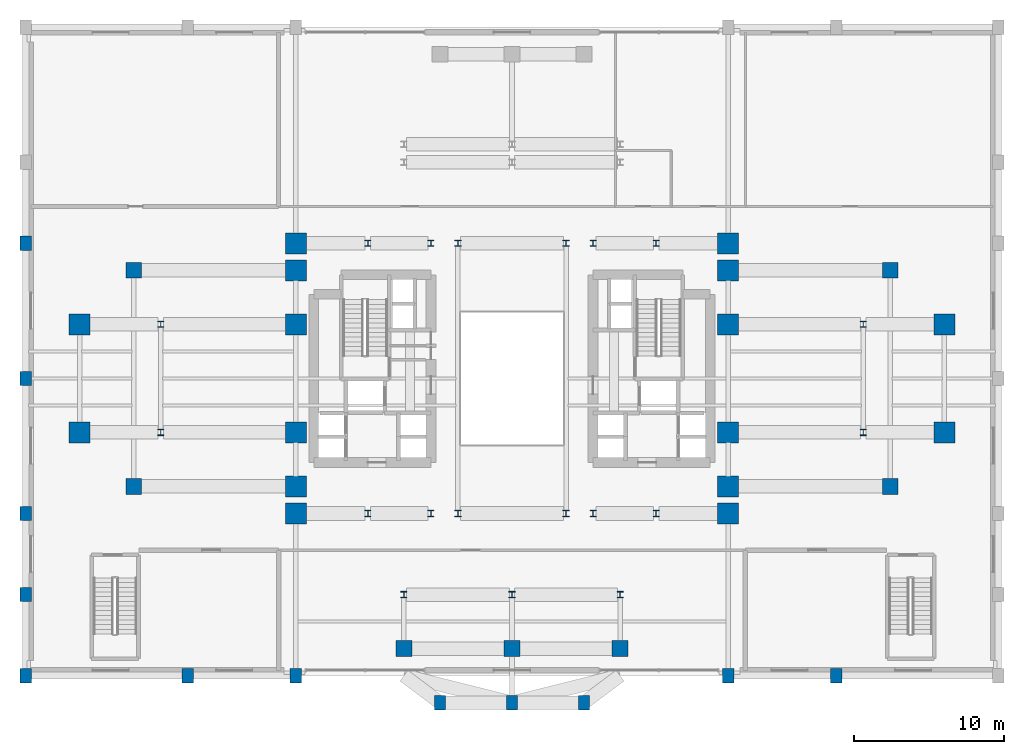
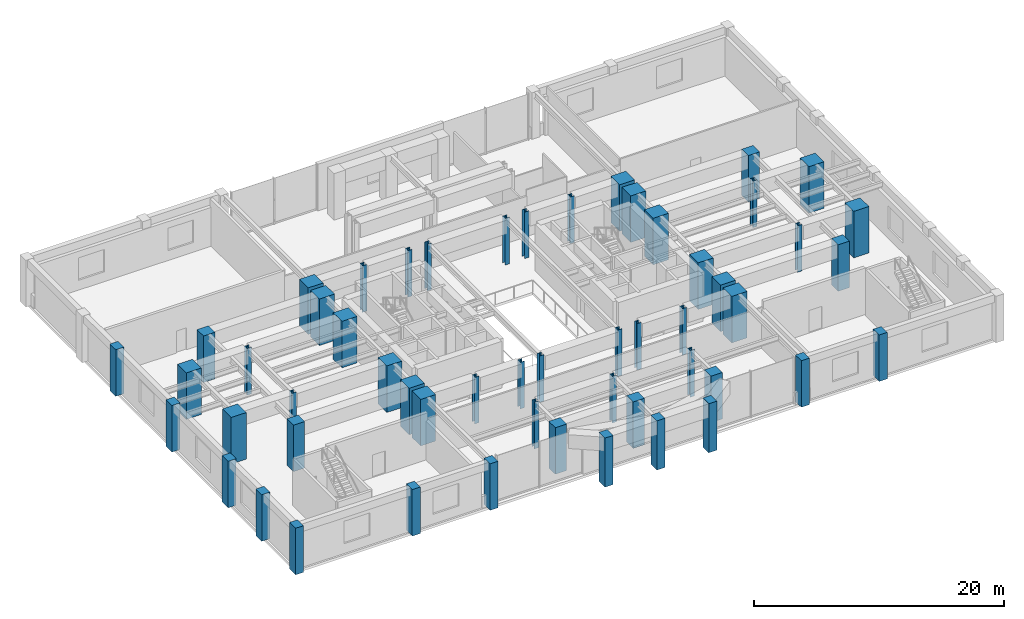
# One storey, part 1 of 14: 54 columns.
"""IFC4 building model written with IfcOpenShell, lengths in metres."""

from ifc_helpers import new_model, si_unit, direction, frame, origin, origin_2d, place, context, subcontext, project, spatial, rectangle, i_section, extrude, source, transform, mapped, material, material_profile, profile_set, type_object, element, save


model = new_model("IFC4")

# Units and contexts
model_context = context("Model", 3, precision=1e-05, world=origin(), true_north=direction((0.0, 1.0)))
body_context = subcontext(model_context, "Body", "Model", "MODEL_VIEW")
ifc_project = project(units=[si_unit("LENGTHUNIT", "METRE"), si_unit("AREAUNIT", "SQUARE_METRE"), si_unit("VOLUMEUNIT", "CUBIC_METRE"), si_unit("PLANEANGLEUNIT", "RADIAN"), si_unit("MASSUNIT", "GRAM", prefix="KILO")], contexts=[model_context])

# Site, building, storey
site_placement = place(None, origin())
site = spatial("IfcSite", under=ifc_project, at=site_placement, CompositionType="ELEMENT")
building_placement = place(site_placement, origin())
building = spatial("IfcBuilding", under=site, at=building_placement, Name="Keilestroom Media Tower", CompositionType="ELEMENT")
storey_placement = place(building_placement, frame((0.0, 0.0, 15.60009765625)))
storey = spatial("IfcBuildingStorey", under=building, at=storey_placement, Name="L03", CompositionType="ELEMENT", Elevation=15.60009765625)

# Columns
ifc_material_1 = material(Name="Precast concrete C40/50", Category="concrete")
ifc_material_profile_1 = material_profile(ifc_material_1, rectangle(XDim=0.75, YDim=0.949951171875, at=origin_2d()), Name="PC 950x750")
ifc_profile_set_1 = profile_set([ifc_material_profile_1], Name="Precast concrete C40/50")
column_type_1 = type_object("IfcColumnType", Name="Structural-Column-PC-950x750", PredefinedType="COLUMN", material=ifc_profile_set_1)
shared_shape_1 = source(origin(), body_context, "Body", "SweptSolid", [
    extrude(rectangle(XDim=0.75, YDim=0.949951171875, at=origin_2d()), origin(), (0.0, 0.0, 1.0), 4.5498046875),
])
for number, where, z_axis, x_axis, name in (
    (1, (-32.39990234375, -19.800048828125, 0.0), (0.0, 0.0, 1.0), (1.0, 0.0, 0.0), "L03 Column PC-1 (-32.4,-19.8)"),
    (2, (-32.39990234375, -14.39990234375, 0.0), (0.0, 0.0, 1.0), (1.0, 0.0, 0.0), "L03 Column PC-1 (-32.4,-14.4)"),
    (3, (-32.39990234375, -9.0, 0.0), (0.0, 0.0, 1.0), (1.0, 0.0, 0.0), "L03 Column PC-1 (-32.4,-9.0)"),
    (4, (-32.39990234375, 0.0, 0.0), (0.0, 0.0, 1.0), (1.0, 0.0, 0.0), "L03 Column PC-1 (-32.4,+0.0)"),
    (5, (-32.39990234375, 9.0, 0.0), (0.0, 0.0, 1.0), (1.0, 0.0, 0.0), "L03 Column PC-1 (-32.4,+9.0)"),
    (6, (-21.60009765625, -19.800048828125, 0.0), (0.0, 0.0, 1.0), (1.0, 0.0, 0.0), "L03 Column PC-1 (-21.6,-19.8)"),
    (7, (-14.39990234375, -19.800048828125, 0.0), (0.0, 0.0, 1.0), (1.0, 0.0, 0.0), "L03 Column PC-1 (-14.4,-19.8)"),
    (8, (14.39990234375, -19.800048828125, 0.0), (0.0, 0.0, 1.0), (1.0, 0.0, 0.0), "L03 Column PC-1 (+14.4,-19.8)"),
    (9, (21.60009765625, -19.800048828125, 0.0), (0.0, 0.0, 1.0), (1.0, 0.0, 0.0), "L03 Column PC-1 (+21.6,-19.8)"),
):
    element("IfcColumn", number, at=place(storey_placement, frame(where, z_axis=z_axis, x_axis=x_axis)), inside=storey, type_object=column_type_1, Name=name, PredefinedType="COLUMN", context=body_context, shape_type="MappedRepresentation", body=[
        mapped(shared_shape_1, transform((0.0, 0.0, 0.0), x_axis=(1.0, 0.0, 0.0), y_axis=(0.0, 1.0, 0.0), z_axis=(0.0, 0.0, 1.0), scale=1.0)),
    ])
ifc_material_2 = material(Name="Concrete C70/85", Category="concrete")
ifc_material_profile_2 = material_profile(ifc_material_2, rectangle(XDim=1.39990234375, YDim=1.39990234375, at=origin_2d()), Name="RC 1400x1400")
ifc_profile_set_2 = profile_set([ifc_material_profile_2], Name="Concrete C70/85")
column_type_2 = type_object("IfcColumnType", Name="Structural-Column-RC-1400x1400", PredefinedType="COLUMN", material=ifc_profile_set_2)
shared_shape_2 = source(origin(), body_context, "Body", "SweptSolid", [
    extrude(rectangle(XDim=1.39990234375, YDim=1.39990234375, at=origin_2d()), origin(), (0.0, 0.0, 1.0), 4.5498046875),
])
for number, where, z_axis, x_axis, name in (
    (10, (-28.800048828125, -3.60009765625, 0.0), (0.0, 0.0, 1.0), (1.0, 0.0, 0.0), "L03 Column MC-1 (-28.8,-3.6)"),
    (11, (-28.800048828125, 3.60009765625, 0.0), (0.0, 0.0, 1.0), (1.0, 0.0, 0.0), "L03 Column MC-1 (-28.8,+3.6)"),
    (12, (-14.39990234375, -9.0, 0.0), (0.0, 0.0, 1.0), (1.0, 0.0, 0.0), "L03 Column MC-1 (-14.4,-9.0)"),
    (13, (-14.39990234375, -7.199951171875, 0.0), (0.0, 0.0, 1.0), (1.0, 0.0, 0.0), "L03 Column MC-1 (-14.4,-7.2)"),
    (14, (-14.39990234375, -3.60009765625, 0.0), (0.0, 0.0, 1.0), (1.0, 0.0, 0.0), "L03 Column MC-1 (-14.4,-3.6)"),
    (15, (-14.39990234375, 3.60009765625, 0.0), (0.0, 0.0, 1.0), (1.0, 0.0, 0.0), "L03 Column MC-1 (-14.4,+3.6)"),
    (16, (-14.39990234375, 7.199951171875, 0.0), (0.0, 0.0, 1.0), (1.0, 0.0, 0.0), "L03 Column MC-1 (-14.4,+7.2)"),
    (17, (-14.39990234375, 9.0, 0.0), (0.0, 0.0, 1.0), (1.0, 0.0, 0.0), "L03 Column MC-1 (-14.4,+9.0)"),
    (18, (14.39990234375, -9.0, 0.0), (0.0, 0.0, 1.0), (1.0, 0.0, 0.0), "L03 Column MC-1 (+14.4,-9.0)"),
    (19, (14.39990234375, -7.199951171875, 0.0), (0.0, 0.0, 1.0), (1.0, 0.0, 0.0), "L03 Column MC-1 (+14.4,-7.2)"),
    (20, (14.39990234375, -3.60009765625, 0.0), (0.0, 0.0, 1.0), (1.0, 0.0, 0.0), "L03 Column MC-1 (+14.4,-3.6)"),
    (21, (14.39990234375, 3.60009765625, 0.0), (0.0, 0.0, 1.0), (1.0, 0.0, 0.0), "L03 Column MC-1 (+14.4,+3.6)"),
    (22, (14.39990234375, 7.199951171875, 0.0), (0.0, 0.0, 1.0), (1.0, 0.0, 0.0), "L03 Column MC-1 (+14.4,+7.2)"),
    (23, (14.39990234375, 9.0, 0.0), (0.0, 0.0, 1.0), (1.0, 0.0, 0.0), "L03 Column MC-1 (+14.4,+9.0)"),
    (24, (28.800048828125, -3.60009765625, 0.0), (0.0, 0.0, 1.0), (1.0, 0.0, 0.0), "L03 Column MC-1 (+28.8,-3.6)"),
    (25, (28.800048828125, 3.60009765625, 0.0), (0.0, 0.0, 1.0), (1.0, 0.0, 0.0), "L03 Column MC-1 (+28.8,+3.6)"),
):
    element("IfcColumn", number, at=place(storey_placement, frame(where, z_axis=z_axis, x_axis=x_axis)), inside=storey, type_object=column_type_2, Name=name, PredefinedType="COLUMN", context=body_context, shape_type="MappedRepresentation", body=[
        mapped(shared_shape_2, transform((0.0, 0.0, 0.0), x_axis=(1.0, 0.0, 0.0), y_axis=(0.0, 1.0, 0.0), z_axis=(0.0, 0.0, 1.0), scale=1.0)),
    ])
ifc_material_3 = material(Name="Concrete C55/67", Category="concrete")
ifc_material_profile_3 = material_profile(ifc_material_3, rectangle(XDim=1.050048828125, YDim=1.050048828125, at=origin_2d()), Name="RC 1050x1050")
ifc_profile_set_3 = profile_set([ifc_material_profile_3], Name="Concrete C55/67")
column_type_3 = type_object("IfcColumnType", Name="Structural-Column-RC-1050x1050", PredefinedType="COLUMN", material=ifc_profile_set_3)
shared_shape_3 = source(origin(), body_context, "Body", "SweptSolid", [
    extrude(rectangle(XDim=1.050048828125, YDim=1.050048828125, at=origin_2d()), origin(), (0.0, 0.0, 1.0), 4.5498046875),
])
for number, where, z_axis, x_axis, name in (
    (26, (-25.199951171875, -7.199951171875, 0.0), (0.0, 0.0, 1.0), (1.0, 0.0, 0.0), "L03 Column MC-3 (-25.2,-7.2)"),
    (27, (-25.199951171875, 7.199951171875, 0.0), (0.0, 0.0, 1.0), (1.0, 0.0, 0.0), "L03 Column MC-3 (-25.2,+7.2)"),
    (28, (-7.199951171875, -18.0, 0.0), (0.0, 0.0, 1.0), (1.0, 0.0, 0.0), "L03 Column MC-3 (-7.2,-18.0)"),
    (29, (0.0, -18.0, 0.0), (0.0, 0.0, 1.0), (1.0, 0.0, 0.0), "L03 Column MC-3 (+0.0,-18.0)"),
    (30, (7.199951171875, -18.0, 0.0), (0.0, 0.0, 1.0), (1.0, 0.0, 0.0), "L03 Column MC-3 (+7.2,-18.0)"),
    (31, (25.199951171875, -7.199951171875, 0.0), (0.0, 0.0, 1.0), (1.0, 0.0, 0.0), "L03 Column MC-3 (+25.2,-7.2)"),
    (32, (25.199951171875, 7.199951171875, 0.0), (0.0, 0.0, 1.0), (1.0, 0.0, 0.0), "L03 Column MC-3 (+25.2,+7.2)"),
):
    element("IfcColumn", number, at=place(storey_placement, frame(where, z_axis=z_axis, x_axis=x_axis)), inside=storey, type_object=column_type_3, Name=name, PredefinedType="COLUMN", context=body_context, shape_type="MappedRepresentation", body=[
        mapped(shared_shape_3, transform((0.0, 0.0, 0.0), x_axis=(1.0, 0.0, 0.0), y_axis=(0.0, 1.0, 0.0), z_axis=(0.0, 0.0, 1.0), scale=1.0)),
    ])
ifc_material_4 = material(Name="Steel S460", Category="steel")
ifc_material_profile_4 = material_profile(ifc_material_4, i_section(OverallWidth=0.406005859375, OverallDepth=0.416015625, WebThickness=0.02392578125, FlangeThickness=0.0390625, at=origin_2d()), Name="HD 400x382")
ifc_profile_set_4 = profile_set([ifc_material_profile_4], Name="Steel S460")
column_type_4 = type_object("IfcColumnType", Name="Structural-Column-HD-400x382", PredefinedType="COLUMN", material=ifc_profile_set_4)
shared_shape_4 = source(origin(), body_context, "Body", "SweptSolid", [
    extrude(i_section(OverallWidth=0.406005859375, OverallDepth=0.416015625, WebThickness=0.02392578125, FlangeThickness=0.0390625, at=origin_2d()), origin(), (0.0, 0.0, 1.0), 4.5498046875),
])
for number, where, z_axis, x_axis, name in (
    (33, (-23.39990234375, -3.60009765625, 0.0), (0.0, 0.0, 1.0), (1.0, 0.0, 0.0), "L03 Column SC-1 (-23.4,-3.6)"),
    (34, (-23.39990234375, 3.60009765625, 0.0), (0.0, 0.0, 1.0), (1.0, 0.0, 0.0), "L03 Column SC-1 (-23.4,+3.6)"),
    (35, (-9.60009765625, -9.0, 0.0), (0.0, 0.0, 1.0), (1.0, 0.0, 0.0), "L03 Column SC-1 (-9.6,-9.0)"),
    (36, (-9.60009765625, 9.0, 0.0), (0.0, 0.0, 1.0), (1.0, 0.0, 0.0), "L03 Column SC-1 (-9.6,+9.0)"),
    (37, (-7.199951171875, -14.39990234375, 0.0), (0.0, 0.0, 1.0), (1.0, 0.0, 0.0), "L03 Column SC-1 (-7.2,-14.4)"),
    (38, (-5.39990234375, -9.0, 0.0), (0.0, 0.0, 1.0), (1.0, 0.0, 0.0), "L03 Column SC-1 (-5.4,-9.0)"),
    (39, (-5.39990234375, 9.0, 0.0), (0.0, 0.0, 1.0), (1.0, 0.0, 0.0), "L03 Column SC-1 (-5.4,+9.0)"),
    (40, (-3.60009765625, -9.0, 0.0), (0.0, 0.0, 1.0), (1.0, 0.0, 0.0), "L03 Column SC-1 (-3.6,-9.0)"),
    (41, (-3.60009765625, 9.0, 0.0), (0.0, 0.0, 1.0), (1.0, 0.0, 0.0), "L03 Column SC-1 (-3.6,+9.0)"),
    (42, (0.0, -14.39990234375, 0.0), (0.0, 0.0, 1.0), (1.0, 0.0, 0.0), "L03 Column SC-1 (+0.0,-14.4)"),
    (43, (3.60009765625, -9.0, 0.0), (0.0, 0.0, 1.0), (1.0, 0.0, 0.0), "L03 Column SC-1 (+3.6,-9.0)"),
    (44, (3.60009765625, 9.0, 0.0), (0.0, 0.0, 1.0), (1.0, 0.0, 0.0), "L03 Column SC-1 (+3.6,+9.0)"),
    (45, (5.39990234375, -9.0, 0.0), (0.0, 0.0, 1.0), (1.0, 0.0, 0.0), "L03 Column SC-1 (+5.4,-9.0)"),
    (46, (5.39990234375, 9.0, 0.0), (0.0, 0.0, 1.0), (1.0, 0.0, 0.0), "L03 Column SC-1 (+5.4,+9.0)"),
    (47, (7.199951171875, -14.39990234375, 0.0), (0.0, 0.0, 1.0), (1.0, 0.0, 0.0), "L03 Column SC-1 (+7.2,-14.4)"),
    (48, (9.60009765625, -9.0, 0.0), (0.0, 0.0, 1.0), (1.0, 0.0, 0.0), "L03 Column SC-1 (+9.6,-9.0)"),
    (49, (9.60009765625, 9.0, 0.0), (0.0, 0.0, 1.0), (1.0, 0.0, 0.0), "L03 Column SC-1 (+9.6,+9.0)"),
    (50, (23.39990234375, -3.60009765625, 0.0), (0.0, 0.0, 1.0), (1.0, 0.0, 0.0), "L03 Column SC-1 (+23.4,-3.6)"),
    (51, (23.39990234375, 3.60009765625, 0.0), (0.0, 0.0, 1.0), (1.0, 0.0, 0.0), "L03 Column SC-1 (+23.4,+3.6)"),
):
    element("IfcColumn", number, at=place(storey_placement, frame(where, z_axis=z_axis, x_axis=x_axis)), inside=storey, type_object=column_type_4, Name=name, PredefinedType="COLUMN", context=body_context, shape_type="MappedRepresentation", body=[
        mapped(shared_shape_4, transform((0.0, 0.0, 0.0), x_axis=(1.0, 0.0, 0.0), y_axis=(0.0, 1.0, 0.0), z_axis=(0.0, 0.0, 1.0), scale=1.0)),
    ])
shared_shape_5 = source(origin(), body_context, "Body", "SweptSolid", [
    extrude(rectangle(XDim=0.75, YDim=0.949951171875, at=origin_2d()), origin(), (0.0, 0.0, 1.0), 4.7998046875),
])
for number, where, z_axis, x_axis, name in (
    (52, (-4.800048828125, -21.60009765625, 0.0), (0.0, 0.0, 1.0), (1.0, 0.0, 0.0), "L03 Column PC-1 (-4.8,-21.6)"),
    (53, (0.0, -21.60009765625, 0.0), (0.0, 0.0, 1.0), (1.0, 0.0, 0.0), "L03 Column PC-1 (+0.0,-21.6)"),
    (54, (4.800048828125, -21.60009765625, 0.0), (0.0, 0.0, 1.0), (1.0, 0.0, 0.0), "L03 Column PC-1 (+4.8,-21.6)"),
):
    element("IfcColumn", number, at=place(storey_placement, frame(where, z_axis=z_axis, x_axis=x_axis)), inside=storey, type_object=column_type_1, Name=name, PredefinedType="COLUMN", context=body_context, shape_type="MappedRepresentation", body=[
        mapped(shared_shape_5, transform((0.0, 0.0, 0.0), x_axis=(1.0, 0.0, 0.0), y_axis=(0.0, 1.0, 0.0), z_axis=(0.0, 0.0, 1.0), scale=1.0)),
    ])

save(model, "model.ifc")
